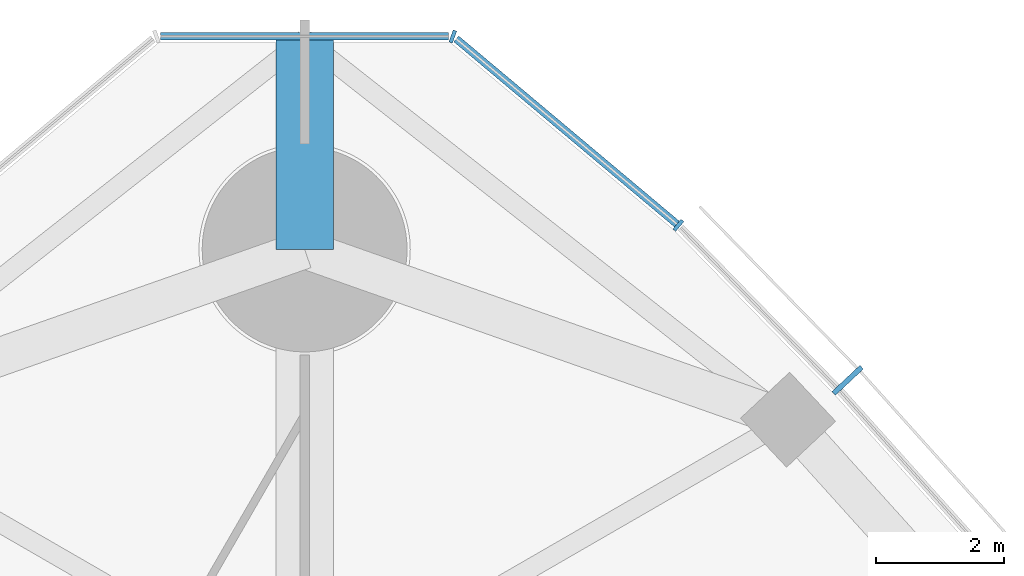
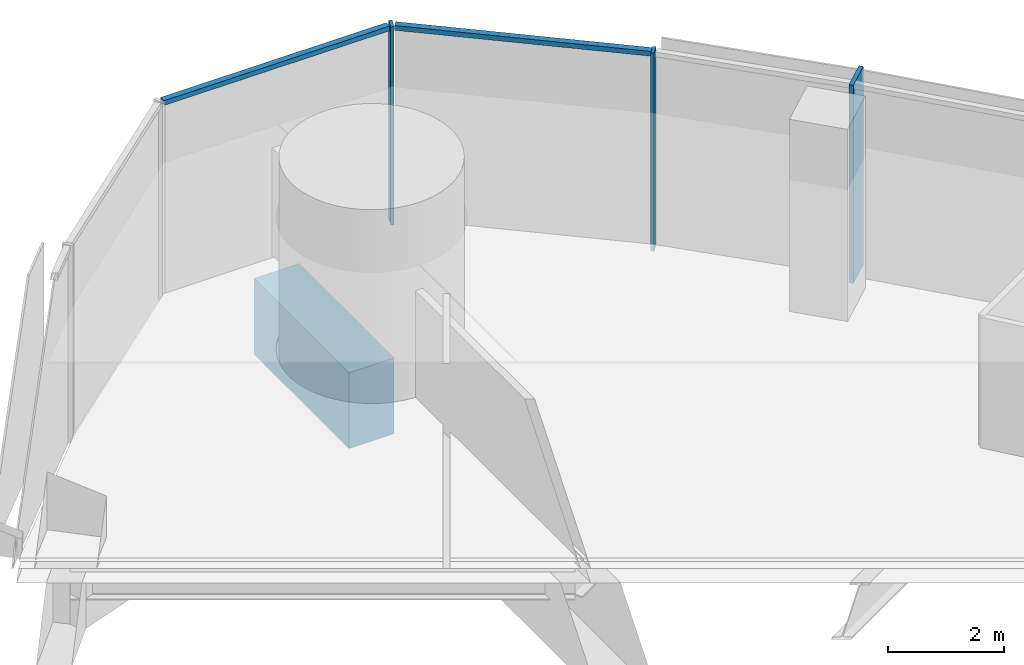
# One storey, part 8 of 20: 5 members, 1 beam, 2 elements without a shape of their own.
"""IFC4 building model written with IfcOpenShell, lengths in metres."""

from ifc_helpers import new_model, si_unit, direction, frame, origin, origin_2d, place, context, subcontext, project, spatial, rectangle, extrude, material, material_profile, profile_set, type_object, element, aggregate, save


model = new_model("IFC4")

# Units and contexts
model_context = context("Model", 3, precision=1e-05, world=origin(), true_north=direction((0.0, 1.0)))
body_context = subcontext(model_context, "Body", "Model", "MODEL_VIEW")
ifc_project = project(units=[si_unit("LENGTHUNIT", "METRE"), si_unit("AREAUNIT", "SQUARE_METRE"), si_unit("VOLUMEUNIT", "CUBIC_METRE"), si_unit("PLANEANGLEUNIT", "RADIAN"), si_unit("MASSUNIT", "GRAM", prefix="KILO")], contexts=[model_context])

# Site, building, storey
site_placement = place(None, origin())
site = spatial("IfcSite", under=ifc_project, at=site_placement, CompositionType="ELEMENT")
building_placement = place(site_placement, origin())
building = spatial("IfcBuilding", under=site, at=building_placement, Name="Trefoil Bronze Tower", CompositionType="ELEMENT")
storey_placement = place(building_placement, frame((0.0, 0.0, 231.699951171875)))
storey = spatial("IfcBuildingStorey", under=building, at=storey_placement, Name="L53", CompositionType="ELEMENT", Elevation=231.699951171875)

# Curtain wall, member
ifc_material_1 = material(Name="Tinted solar-control glass", Category="glass")
curtain_wall_type_1 = type_object("IfcCurtainWallType", Name="Bronze office curtain wall", PredefinedType="USERDEFINED", material=ifc_material_1)
curtain_wall_1_placement = place(storey_placement, origin())
curtain_wall_1 = element("IfcCurtainWall", 1, at=curtain_wall_1_placement, inside=storey, type_object=curtain_wall_type_1, Name="CW-A L53 F2", ObjectType="CURTAIN WALL", PredefinedType="USERDEFINED")
ifc_material_2 = material(Name="Bronze-finish aluminium", Category="aluminium")
ifc_material_profile_1 = material_profile(ifc_material_2, rectangle(XDim=0.60009765625, YDim=0.080078125, at=origin_2d()), Name="CW-A mullion")
ifc_profile_set_1 = profile_set([ifc_material_profile_1], Name="Bronze-finish aluminium")
member_type_1 = type_object("IfcMemberType", Name="Bronze office curtain wall mullion", PredefinedType="MULLION", material=ifc_profile_set_1)
member_1_placement = place(storey_placement, frame((8.482177734375, 30.95654296875, 0.0), z_axis=(0.0, 0.0, 1.0), x_axis=(-0.729859580661, -0.683597098091, 0.0)))
member_1 = element("IfcMember", 2, at=member_1_placement, type_object=member_type_1, Name="CW-A L53 F2 mullion 12", PredefinedType="MULLION", context=body_context, shape_type="SweptSolid", body=[
    extrude(rectangle(XDim=0.60009765625, YDim=0.080078125, at=origin_2d()), origin(), (0.0, 0.0, 1.0), 4.179931640625),
])
aggregate(curtain_wall_1, [member_1])

# Curtain wall, members
ifc_material_3 = material(Name="Tinted solar-control glass", Category="glass")
curtain_wall_type_2 = type_object("IfcCurtainWallType", Name="Bronze rounded corner curtain wall", PredefinedType="USERDEFINED", material=ifc_material_3)
curtain_wall_2_placement = place(storey_placement, origin())
curtain_wall_2 = element("IfcCurtainWall", 3, at=curtain_wall_2_placement, inside=storey, type_object=curtain_wall_type_2, Name="CW-B L53 K2", ObjectType="CURTAIN WALL", PredefinedType="USERDEFINED")
ifc_material_4 = material(Name="Bronze-finish aluminium", Category="aluminium")
ifc_material_profile_2 = material_profile(ifc_material_4, rectangle(XDim=0.199951171875, YDim=0.06005859375, at=origin_2d()), Name="CW-B mullion")
ifc_profile_set_2 = profile_set([ifc_material_profile_2], Name="Bronze-finish aluminium")
member_type_2 = type_object("IfcMemberType", Name="Bronze rounded corner curtain wall mullion", PredefinedType="MULLION", material=ifc_profile_set_2)
member_2_placement = place(storey_placement, frame((5.837890625, 33.3779296875, 0.0), z_axis=(0.0, 0.0, 1.0), x_axis=(-0.642787609687, -0.766044443119, 0.0)))
member_2 = element("IfcMember", 4, at=member_2_placement, type_object=member_type_2, Name="CW-B L53 K2 mullion 1", PredefinedType="MULLION", context=body_context, shape_type="SweptSolid", body=[
    extrude(rectangle(XDim=0.199951171875, YDim=0.06005859375, at=origin_2d()), origin(), (0.0, 0.0, 1.0), 4.179931640625),
])
member_3_placement = place(storey_placement, frame((2.314453125, 36.326416015625, 0.0), z_axis=(0.0, 0.0, 1.0), x_axis=(-0.342020143326, -0.939692620786, 0.0)))
member_3 = element("IfcMember", 5, at=member_3_placement, type_object=member_type_2, Name="CW-B L53 K2 mullion 2", PredefinedType="MULLION", context=body_context, shape_type="SweptSolid", body=[
    extrude(rectangle(XDim=0.199951171875, YDim=0.06005859375, at=origin_2d()), origin(), (0.0, 0.0, 1.0), 4.179931640625),
])
ifc_material_5 = material(Name="Bronze-finish aluminium", Category="aluminium")
ifc_material_profile_3 = material_profile(ifc_material_5, rectangle(XDim=0.1201171875, YDim=0.10009765625, at=origin_2d()), Name="CW-B transom")
ifc_profile_set_3 = profile_set([ifc_material_profile_3], Name="Bronze-finish aluminium")
member_type_3 = type_object("IfcMemberType", Name="Bronze rounded corner curtain wall transom", PredefinedType="USERDEFINED", material=ifc_profile_set_3)
member_4_placement = place(storey_placement, frame((5.814697265625, 33.397216796875, 4.130126953125), z_axis=(-0.766046761698, 0.642784846501, 0.0), x_axis=(-0.642784846501, -0.766046761698, 0.0)))
member_4 = element("IfcMember", 6, at=member_4_placement, type_object=member_type_3, Name="CW-B L53 K2 transom 1", ObjectType="TRANSOM", PredefinedType="USERDEFINED", context=body_context, shape_type="SweptSolid", body=[
    extrude(rectangle(XDim=0.1201171875, YDim=0.10009765625, at=origin_2d()), origin(), (0.0, 0.0, 1.0), 4.5),
])
member_5_placement = place(storey_placement, frame((2.250244140625, 36.33251953125, 4.130126953125), z_axis=(-1.0, 0.0, 0.0), x_axis=(0.0, -1.0, 0.0)))
member_5 = element("IfcMember", 7, at=member_5_placement, type_object=member_type_3, Name="CW-B L53 K2 transom 2", ObjectType="TRANSOM", PredefinedType="USERDEFINED", context=body_context, shape_type="SweptSolid", body=[
    extrude(rectangle(XDim=0.1201171875, YDim=0.10009765625, at=origin_2d()), origin(), (0.0, 0.0, 1.0), 4.50048828125),
])
aggregate(curtain_wall_2, [member_2, member_3, member_4, member_5])

# Beam
ifc_material_6 = material(Name="Concrete B80", Category="concrete")
ifc_material_profile_4 = material_profile(ifc_material_6, rectangle(XDim=0.89990234375, YDim=1.60009765625, at=origin_2d()), Name="RC 900x1600")
ifc_profile_set_4 = profile_set([ifc_material_profile_4], Name="Concrete B80")
beam_type = type_object("IfcBeamType", Name="Corner cantilever RC 900x1600", PredefinedType="BEAM", material=ifc_profile_set_4)
beam_placement = place(storey_placement, frame((0.0, 33.0, -1.0), z_axis=(0.0, 1.0, 0.0), x_axis=(-1.0, 0.0, 0.0)))
element("IfcBeam", 8, at=beam_placement, inside=storey, type_object=beam_type, Name="Corner cantilever K2 L53", PredefinedType="BEAM", context=body_context, shape_type="SweptSolid", body=[
    extrude(rectangle(XDim=0.89990234375, YDim=1.60009765625, at=origin_2d()), origin(), (0.0, 0.0, 1.0), 3.28466796875),
])

save(model, "model.ifc")
